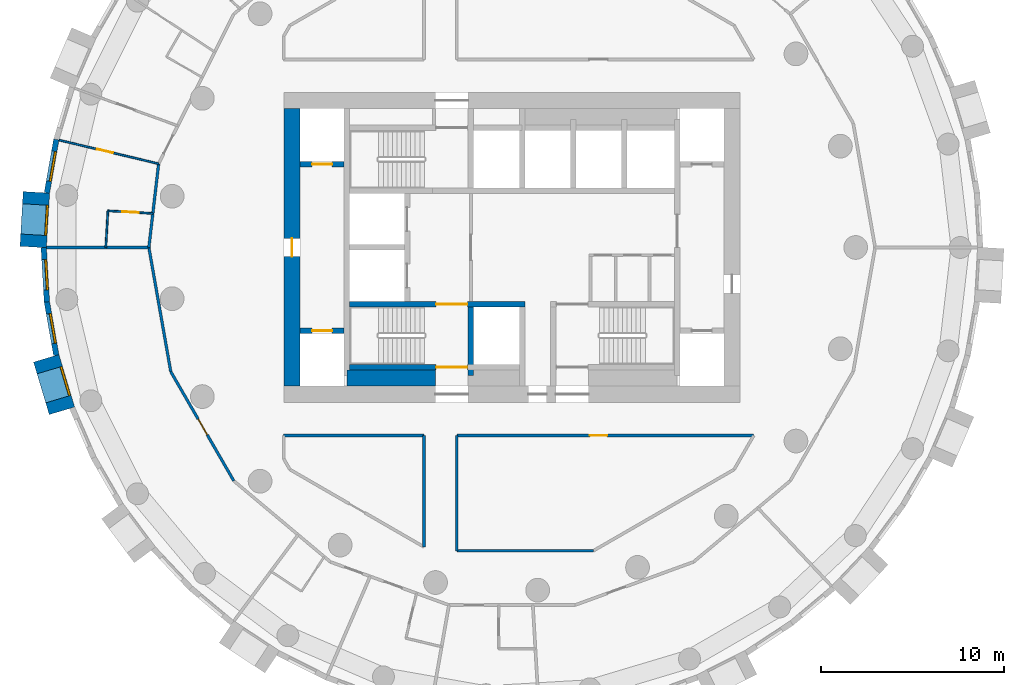
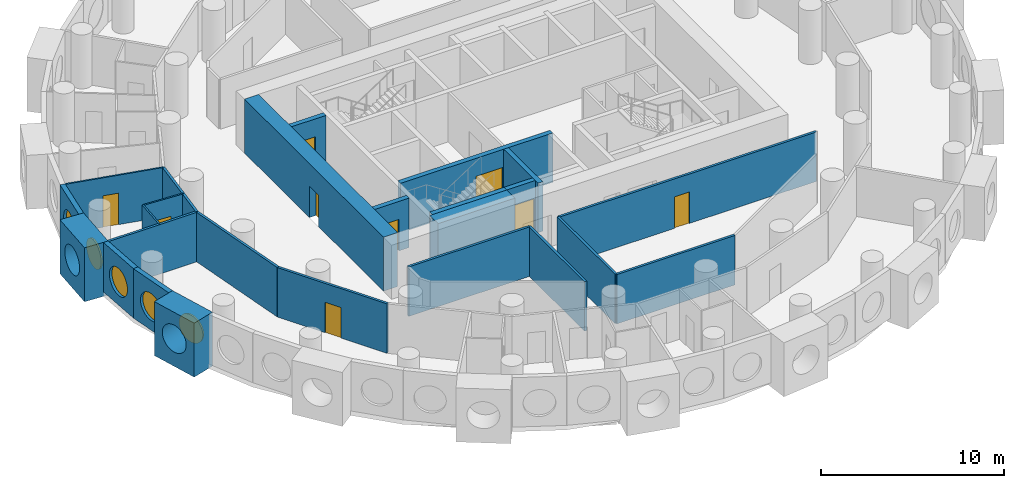
# One storey, part 3 of 9: 25 walls, 9 doors, 5 windows, 14 openings.
"""IFC4 building model written with IfcOpenShell, lengths in metres."""

from ifc_helpers import new_model, si_unit, direction, frame, frame_2d, origin, origin_2d, place, context, subcontext, project, spatial, rectangle, circle, extrude, material, layer, layer_set, type_object, element, fill, save


model = new_model("IFC4")

# Units and contexts
model_context = context("Model", 3, precision=1e-05, world=origin(), true_north=direction((0.0, 1.0)))
body_context = subcontext(model_context, "Body", "Model", "MODEL_VIEW")
ifc_project = project(units=[si_unit("LENGTHUNIT", "METRE"), si_unit("AREAUNIT", "SQUARE_METRE"), si_unit("VOLUMEUNIT", "CUBIC_METRE"), si_unit("PLANEANGLEUNIT", "RADIAN"), si_unit("MASSUNIT", "GRAM", prefix="KILO")], contexts=[model_context])

# Site, building, storey
site_placement = place(None, origin())
site = spatial("IfcSite", under=ifc_project, at=site_placement, CompositionType="ELEMENT")
building_placement = place(site_placement, origin())
building = spatial("IfcBuilding", under=site, at=building_placement, Name="Tracery Tower", CompositionType="ELEMENT")
storey_placement = place(building_placement, frame((0.0, 0.0, 183.60009765625)))
storey = spatial("IfcBuildingStorey", under=building, at=storey_placement, Name="L47", CompositionType="ELEMENT", Elevation=183.60009765625)

# Wall
ifc_material_1 = material(Name="Concrete C50/60", Category="concrete")
ifc_layer_1 = layer(ifc_material_1, 0.89990234375)
ifc_layer_set_1 = layer_set([ifc_layer_1], Name="Core strip wall 900 C50")
wall_type_1 = type_object("IfcWallType", Name="Core strip wall 900 C50", PredefinedType="SOLIDWALL", material=ifc_layer_set_1)
wall_1_placement = place(storey_placement, frame((-9.050048828125, -7.14990234375, 0.0), z_axis=(0.0, 0.0, 1.0), x_axis=(1.0, 0.0, 0.0)))
element("IfcWall", 1, at=wall_1_placement, inside=storey, type_object=wall_type_1, Name="L47 F thick S W", PredefinedType="SOLIDWALL", context=body_context, shape_type="SweptSolid", body=[
    extrude(rectangle(XDim=4.85009765625, YDim=0.89990234375, at=frame_2d((2.425048828125, 0.0))), origin(), (0.0, 0.0, 1.0), 3.2998046875),
])

# Wall, opening, door
ifc_material_2 = material(Name="Concrete C50/60", Category="concrete")
ifc_layer_2 = layer(ifc_material_2, 0.89990234375)
ifc_layer_set_2 = layer_set([ifc_layer_2], Name="Core wall 900 C50")
wall_type_2 = type_object("IfcWallType", Name="Core wall 900 C50", PredefinedType="SOLIDWALL", material=ifc_layer_set_2)
wall_2_placement = place(storey_placement, frame((-12.050048828125, -7.60009765625, 0.0), z_axis=(0.0, 0.0, 1.0), x_axis=(0.0, 1.0, 0.0)))
wall_2 = element("IfcWall", 2, at=wall_2_placement, inside=storey, type_object=wall_type_2, Name="L47 outer W", PredefinedType="SOLIDWALL", context=body_context, shape_type="SweptSolid", body=[
    extrude(rectangle(XDim=15.2001953125, YDim=0.89990234375, at=frame_2d((7.60009765625, 0.0))), origin(), (0.0, 0.0, 1.0), 3.599853515625),
])
opening_1_placement = place(wall_2_placement, frame((7.10009765625, 0.0, 0.0)))
opening_1 = element("IfcOpeningElement", 3, at=opening_1_placement, cuts=wall_2, Name="Opening KD18", PredefinedType="OPENING", context=body_context, shape_type="SweptSolid", body=[
    extrude(rectangle(XDim=1.0, YDim=2.10009765625, at=frame_2d((0.5, 1.050048828125))), frame((0.0, 0.449951171875, 0.0), z_axis=(0.0, -1.0, 0.0), x_axis=(1.0, 0.0, 0.0)), (0.0, 0.0, 1.0), 0.89990234375),
])
ifc_material_3 = material(Name="Steel fire door", Category="steel")
door_type_1 = type_object("IfcDoorType", Name="Core exit door 1000", OperationType="NOTDEFINED", PredefinedType="DOOR", material=ifc_material_3)
door_1_placement = place(opening_1_placement, origin())
door_1 = element("IfcDoor", 4, at=door_1_placement, inside=storey, type_object=door_type_1, Name="Core exit door", OperationType="DOUBLE_DOOR_SINGLE_SWING", OverallHeight=2.10009765625, OverallWidth=1.0, PredefinedType="DOOR", context=body_context, shape_type="SweptSolid", body=[
    extrude(rectangle(XDim=1.0, YDim=2.10009765625, at=frame_2d((0.5, 1.050048828125))), frame((0.0, 0.02490234375, 0.0), z_axis=(0.0, -1.0, 0.0), x_axis=(1.0, 0.0, 0.0)), (0.0, 0.0, 1.0), 0.050048828125),
])
fill(opening_1, door_1)

# Wall, opening, window
ifc_material_4 = material(Name="Precast concrete C50/60", Category="concrete")
ifc_layer_3 = layer(ifc_material_4, 1.449951171875)
ifc_layer_set_3 = layer_set([ifc_layer_3], Name="Deep-set bay unit 3000 x 3600, slab edge 300")
wall_type_3 = type_object("IfcWallType", Name="Deep-set bay unit 3000 x 3600, slab edge 300", PredefinedType="ELEMENTEDWALL", material=ifc_layer_set_3)
wall_3_placement = place(storey_placement, frame((-26.047607421875, 3.01953125, -0.300048828125), z_axis=(0.0, 0.0, 1.0), x_axis=(-0.058106596105, -0.998310384344, 0.0)))
wall_3 = element("IfcWall", 5, at=wall_3_placement, inside=storey, type_object=wall_type_3, Name="Deep-set bay unit 27 at L47", PredefinedType="ELEMENTEDWALL", context=body_context, shape_type="SweptSolid", body=[
    extrude(rectangle(XDim=3.0, YDim=1.449951171875, at=frame_2d((1.5, 0.0))), origin(), (0.0, 0.0, 1.0), 3.599853515625),
])
opening_2_placement = place(wall_3_placement, frame((1.5, 0.0, 1.85009765625)))
opening_2 = element("IfcOpeningElement", 6, at=opening_2_placement, cuts=wall_3, Name="Opening WN1", PredefinedType="OPENING", context=body_context, shape_type="SweptSolid", body=[
    extrude(circle(Radius=0.9000244140625, at=origin_2d()), frame((0.0, 0.73486328125, 0.0), z_axis=(0.0, -1.0, 0.0), x_axis=(1.0, 0.0, 0.0)), (0.0, 0.0, 1.0), 1.469970703125),
])
ifc_material_5 = material(Name="Aluminium frame with tinted double glazing", Category="aluminium")
window_type = type_object("IfcWindowType", Name="Round window 1800", PartitioningType="SINGLE_PANEL", PredefinedType="WINDOW", material=ifc_material_5)
window_1_placement = place(opening_2_placement, origin())
window_1 = element("IfcWindow", 7, at=window_1_placement, inside=storey, type_object=window_type, Name="Round window 27 at L47", OverallHeight=1.800048828125, OverallWidth=1.800048828125, PartitioningType="SINGLE_PANEL", PredefinedType="WINDOW", context=body_context, shape_type="SweptSolid", body=[
    extrude(circle(Radius=0.9000244140625, at=origin_2d()), frame((0.0, 0.69482421875, 0.0), z_axis=(0.0, -1.0, 0.0), x_axis=(1.0, 0.0, 0.0)), (0.0, 0.0, 1.0), 0.10009765625),
])
fill(opening_2, window_1)

wall_4_placement = place(storey_placement, frame((-25.509521484375, -6.0712890625, -0.300048828125), z_axis=(0.0, 0.0, 1.0), x_axis=(0.286780420304, -0.957996341606, 0.0)))
wall_4 = element("IfcWall", 8, at=wall_4_placement, inside=storey, type_object=wall_type_3, Name="Deep-set bay unit 30 at L47", PredefinedType="ELEMENTEDWALL", context=body_context, shape_type="SweptSolid", body=[
    extrude(rectangle(XDim=3.0, YDim=1.449951171875, at=frame_2d((1.5, 0.0))), origin(), (0.0, 0.0, 1.0), 3.599853515625),
])
opening_3_placement = place(wall_4_placement, frame((1.5, 0.0, 1.85009765625)))
opening_3 = element("IfcOpeningElement", 9, at=opening_3_placement, cuts=wall_4, Name="Opening WN1", PredefinedType="OPENING", context=body_context, shape_type="SweptSolid", body=[
    extrude(circle(Radius=0.9000244140625, at=origin_2d()), frame((0.0, 0.73486328125, 0.0), z_axis=(0.0, -1.0, 0.0), x_axis=(1.0, 0.0, 0.0)), (0.0, 0.0, 1.0), 1.469970703125),
])
window_2_placement = place(opening_3_placement, origin())
window_2 = element("IfcWindow", 10, at=window_2_placement, inside=storey, type_object=window_type, Name="Round window 30 at L47", OverallHeight=1.800048828125, OverallWidth=1.800048828125, PartitioningType="SINGLE_PANEL", PredefinedType="WINDOW", context=body_context, shape_type="SweptSolid", body=[
    extrude(circle(Radius=0.9000244140625, at=origin_2d()), frame((0.0, 0.69482421875, 0.0), z_axis=(0.0, -1.0, 0.0), x_axis=(1.0, 0.0, 0.0)), (0.0, 0.0, 1.0), 0.10009765625),
])
fill(opening_3, window_2)

ifc_material_6 = material(Name="Precast concrete C50/60", Category="concrete")
ifc_layer_4 = layer(ifc_material_6, 0.300048828125)
ifc_layer_set_4 = layer_set([ifc_layer_4], Name="Facade panel 3000 x 3300")
wall_type_4 = type_object("IfcWallType", Name="Facade panel 3000 x 3300", PredefinedType="SOLIDWALL", material=ifc_layer_set_4)
wall_5_placement = place(storey_placement, frame((-24.9560546875, 5.914794921875, 0.0), z_axis=(0.0, 0.0, 1.0), x_axis=(-0.173686952598, -0.984800915159, 0.0)))
wall_5 = element("IfcWall", 11, at=wall_5_placement, inside=storey, type_object=wall_type_4, Name="Facade panel 26 at L47", PredefinedType="SOLIDWALL", context=body_context, shape_type="SweptSolid", body=[
    extrude(rectangle(XDim=2.972900390625, YDim=0.300048828125, at=frame_2d((1.486328125, 0.0))), origin(), (0.0, 0.0, 1.0), 3.2998046875),
])
opening_4_placement = place(wall_5_placement, frame((1.486328125, 0.0, 1.5498046875)))
opening_4 = element("IfcOpeningElement", 12, at=opening_4_placement, cuts=wall_5, Name="Opening WN1", PredefinedType="OPENING", context=body_context, shape_type="SweptSolid", body=[
    extrude(circle(Radius=0.9000244140625, at=origin_2d()), frame((0.0, 0.159912109375, 0.0), z_axis=(0.0, -1.0, 0.0), x_axis=(1.0, 0.0, 0.0)), (0.0, 0.0, 1.0), 0.320068359375),
])
window_3_placement = place(opening_4_placement, origin())
window_3 = element("IfcWindow", 13, at=window_3_placement, inside=storey, type_object=window_type, Name="Round window 26 at L47", OverallHeight=1.800048828125, OverallWidth=1.800048828125, PartitioningType="SINGLE_PANEL", PredefinedType="WINDOW", context=body_context, shape_type="SweptSolid", body=[
    extrude(circle(Radius=0.9000244140625, at=origin_2d()), frame((0.0, 0.1201171875, 0.0), z_axis=(0.0, -1.0, 0.0), x_axis=(1.0, 0.0, 0.0)), (0.0, 0.0, 1.0), 0.10009765625),
])
fill(opening_4, window_3)

wall_6_placement = place(storey_placement, frame((-25.64697265625, -0.009521484375, 0.0), z_axis=(0.0, 0.0, 1.0), x_axis=(0.058139540521, -0.998308466271, 0.0)))
wall_6 = element("IfcWall", 14, at=wall_6_placement, inside=storey, type_object=wall_type_4, Name="Facade panel 28 at L47", PredefinedType="SOLIDWALL", context=body_context, shape_type="SweptSolid", body=[
    extrude(rectangle(XDim=2.97314453125, YDim=0.300048828125, at=frame_2d((1.486572265625, 0.0))), origin(), (0.0, 0.0, 1.0), 3.2998046875),
])
opening_5_placement = place(wall_6_placement, frame((1.486328125, 0.0, 1.5498046875)))
opening_5 = element("IfcOpeningElement", 15, at=opening_5_placement, cuts=wall_6, Name="Opening WN1", PredefinedType="OPENING", context=body_context, shape_type="SweptSolid", body=[
    extrude(circle(Radius=0.9000244140625, at=origin_2d()), frame((0.0, 0.159912109375, 0.0), z_axis=(0.0, -1.0, 0.0), x_axis=(1.0, 0.0, 0.0)), (0.0, 0.0, 1.0), 0.320068359375),
])
window_4_placement = place(opening_5_placement, origin())
window_4 = element("IfcWindow", 16, at=window_4_placement, inside=storey, type_object=window_type, Name="Round window 28 at L47", OverallHeight=1.800048828125, OverallWidth=1.800048828125, PartitioningType="SINGLE_PANEL", PredefinedType="WINDOW", context=body_context, shape_type="SweptSolid", body=[
    extrude(circle(Radius=0.9000244140625, at=origin_2d()), frame((0.0, 0.1201171875, 0.0), z_axis=(0.0, -1.0, 0.0), x_axis=(1.0, 0.0, 0.0)), (0.0, 0.0, 1.0), 0.10009765625),
])
fill(opening_5, window_4)

wall_7_placement = place(storey_placement, frame((-25.47412109375, -2.9775390625, 0.0), z_axis=(0.0, 0.0, 1.0), x_axis=(0.173686952598, -0.984800915159, 0.0)))
wall_7 = element("IfcWall", 17, at=wall_7_placement, inside=storey, type_object=wall_type_4, Name="Facade panel 29 at L47", PredefinedType="SOLIDWALL", context=body_context, shape_type="SweptSolid", body=[
    extrude(rectangle(XDim=2.972900390625, YDim=0.300048828125, at=frame_2d((1.486328125, 0.0))), origin(), (0.0, 0.0, 1.0), 3.2998046875),
])
opening_6_placement = place(wall_7_placement, frame((1.486328125, 0.0, 1.5498046875)))
opening_6 = element("IfcOpeningElement", 18, at=opening_6_placement, cuts=wall_7, Name="Opening WN1", PredefinedType="OPENING", context=body_context, shape_type="SweptSolid", body=[
    extrude(circle(Radius=0.9000244140625, at=origin_2d()), frame((0.0, 0.159912109375, 0.0), z_axis=(0.0, -1.0, 0.0), x_axis=(1.0, 0.0, 0.0)), (0.0, 0.0, 1.0), 0.320068359375),
])
window_5_placement = place(opening_6_placement, origin())
window_5 = element("IfcWindow", 19, at=window_5_placement, inside=storey, type_object=window_type, Name="Round window 29 at L47", OverallHeight=1.800048828125, OverallWidth=1.800048828125, PartitioningType="SINGLE_PANEL", PredefinedType="WINDOW", context=body_context, shape_type="SweptSolid", body=[
    extrude(circle(Radius=0.9000244140625, at=origin_2d()), frame((0.0, 0.1201171875, 0.0), z_axis=(0.0, -1.0, 0.0), x_axis=(1.0, 0.0, 0.0)), (0.0, 0.0, 1.0), 0.10009765625),
])
fill(opening_6, window_5)

# Wall, opening, door
ifc_material_7 = material(Name="Plasterboard on steel studs", Category="steel")
ifc_layer_5 = layer(ifc_material_7, 0.10009765625)
ifc_layer_set_5 = layer_set([ifc_layer_5], Name="Partition 100 stud")
wall_type_5 = type_object("IfcWallType", Name="Partition 100 stud", PredefinedType="PARTITIONING", material=ifc_layer_set_5)
wall_8_placement = place(storey_placement, frame((-24.81005859375, 5.8798828125, 0.0), z_axis=(0.0, 0.0, 1.0), x_axis=(0.973029918752, -0.230678948353, 0.0)))
wall_8 = element("IfcWall", 20, at=wall_8_placement, inside=storey, type_object=wall_type_5, Name="Stud partition RB6-050", PredefinedType="PARTITIONING", context=body_context, shape_type="SweptSolid", body=[
    extrude(rectangle(XDim=5.609375, YDim=0.10009765625, at=frame_2d((2.8046875, 0.0))), origin(), (0.0, 0.0, 1.0), 3.2998046875),
])
opening_7_placement = place(wall_8_placement, frame((2.139404296875, 0.0, 0.0)))
opening_7 = element("IfcOpeningElement", 21, at=opening_7_placement, cuts=wall_8, Name="Opening RB6-15", PredefinedType="OPENING", context=body_context, shape_type="SweptSolid", body=[
    extrude(rectangle(XDim=0.89990234375, YDim=2.10009765625, at=frame_2d((0.449951171875, 1.050048828125))), frame((0.0, 0.050048828125, 0.0), z_axis=(0.0, -1.0, 0.0), x_axis=(1.0, 0.0, 0.0)), (0.0, 0.0, 1.0), 0.10009765625),
])
ifc_material_8 = material(Name="Timber door leaf", Category="wood")
door_type_2 = type_object("IfcDoorType", Name="Door bedroom 900", OperationType="NOTDEFINED", PredefinedType="DOOR", material=ifc_material_8)
door_2_placement = place(opening_7_placement, origin())
door_2 = element("IfcDoor", 22, at=door_2_placement, inside=storey, type_object=door_type_2, Name="Bedroom door RB6-15", OperationType="SINGLE_SWING_RIGHT", OverallHeight=2.10009765625, OverallWidth=0.89990234375, PredefinedType="DOOR", context=body_context, shape_type="SweptSolid", body=[
    extrude(rectangle(XDim=0.89990234375, YDim=2.10009765625, at=frame_2d((0.449951171875, 1.050048828125))), frame((0.0, 0.02490234375, 0.0), z_axis=(0.0, -1.0, 0.0), x_axis=(1.0, 0.0, 0.0)), (0.0, 0.0, 1.0), 0.050048828125),
])
fill(opening_7, door_2)

ifc_material_9 = material(Name="Plasterboard on steel studs", Category="steel")
ifc_layer_6 = layer(ifc_material_9, 0.10009765625)
ifc_layer_set_6 = layer_set([ifc_layer_6], Name="Partition 100 wet wall")
wall_type_6 = type_object("IfcWallType", Name="Partition 100 wet wall", PredefinedType="PARTITIONING", material=ifc_layer_set_6)
wall_9_placement = place(storey_placement, frame((-22.1298828125, 2.008056640625, 0.0), z_axis=(0.0, 0.0, 1.0), x_axis=(0.998290052933, -0.058454856216, 0.0)))
wall_9 = element("IfcWall", 23, at=wall_9_placement, inside=storey, type_object=wall_type_6, Name="Wet wall RB6-054", PredefinedType="PARTITIONING", context=body_context, shape_type="SweptSolid", body=[
    extrude(rectangle(XDim=2.464111328125, YDim=0.10009765625, at=frame_2d((1.23193359375, 0.0))), origin(), (0.0, 0.0, 1.0), 3.2998046875),
])
opening_8_placement = place(wall_9_placement, frame((0.7822265625, 0.0, 0.0)))
opening_8 = element("IfcOpeningElement", 24, at=opening_8_placement, cuts=wall_9, Name="Opening RB6-16", PredefinedType="OPENING", context=body_context, shape_type="SweptSolid", body=[
    extrude(rectangle(XDim=0.89990234375, YDim=2.0400390625, at=frame_2d((0.449951171875, 1.02001953125))), frame((0.0, 0.050048828125, 0.0), z_axis=(0.0, -1.0, 0.0), x_axis=(1.0, 0.0, 0.0)), (0.0, 0.0, 1.0), 0.10009765625),
])
ifc_material_10 = material(Name="Timber door leaf", Category="wood")
door_type_3 = type_object("IfcDoorType", Name="Door en-suite 900", OperationType="NOTDEFINED", PredefinedType="DOOR", material=ifc_material_10)
door_3_placement = place(opening_8_placement, origin())
door_3 = element("IfcDoor", 25, at=door_3_placement, inside=storey, type_object=door_type_3, Name="En-suite door RB6-16", OperationType="SINGLE_SWING_LEFT", OverallHeight=2.0400390625, OverallWidth=0.89990234375, PredefinedType="DOOR", context=body_context, shape_type="SweptSolid", body=[
    extrude(rectangle(XDim=0.89990234375, YDim=2.0400390625, at=frame_2d((0.449951171875, 1.02001953125))), frame((0.0, 0.02490234375, 0.0), z_axis=(0.0, -1.0, 0.0), x_axis=(1.0, 0.0, 0.0)), (0.0, 0.0, 1.0), 0.050048828125),
])
fill(opening_8, door_3)

# Walls
wall_10_placement = place(storey_placement, frame((-22.2470703125, 0.0, 0.0), z_axis=(0.0, 0.0, 1.0), x_axis=(0.058259538708, 0.998301470574, 0.0)))
element("IfcWall", 26, at=wall_10_placement, inside=storey, type_object=wall_type_6, Name="Wet wall RB6-055", PredefinedType="PARTITIONING", context=body_context, shape_type="SweptSolid", body=[
    extrude(rectangle(XDim=2.011474609375, YDim=0.10009765625, at=frame_2d((1.005859375, 0.0))), origin(), (0.0, 0.0, 1.0), 3.2998046875),
])
ifc_material_11 = material(Name="Plasterboard on steel studs", Category="steel")
ifc_layer_7 = layer(ifc_material_11, 0.14990234375)
ifc_layer_set_7 = layer_set([ifc_layer_7], Name="Partition 150 acoustic unit wall")
wall_type_7 = type_object("IfcWallType", Name="Partition 150 acoustic unit wall", PredefinedType="PARTITIONING", material=ifc_layer_set_7)
wall_11_placement = place(storey_placement, frame((-25.4970703125, 0.0, 0.0), z_axis=(0.0, 0.0, 1.0), x_axis=(1.0, 0.0, 0.0)))
element("IfcWall", 27, at=wall_11_placement, inside=storey, type_object=wall_type_7, Name="Unit wall RB6-056", PredefinedType="PARTITIONING", context=body_context, shape_type="SweptSolid", body=[
    extrude(rectangle(XDim=5.609130859375, YDim=0.14990234375, at=frame_2d((2.8046875, 0.0))), origin(), (0.0, 0.0, 1.0), 3.2998046875),
])
ifc_material_12 = material(Name="Plasterboard on steel studs", Category="steel")
ifc_layer_8 = layer(ifc_material_12, 0.14990234375)
ifc_layer_set_8 = layer_set([ifc_layer_8], Name="Partition 150 corridor wall")
wall_type_8 = type_object("IfcWallType", Name="Partition 150 corridor wall", PredefinedType="PARTITIONING", material=ifc_layer_set_8)
wall_12_placement = place(storey_placement, frame((-12.50390625, -10.300048828125, 0.0), z_axis=(0.0, 0.0, 1.0), x_axis=(1.0, 0.0, 0.0)))
element("IfcWall", 28, at=wall_12_placement, inside=storey, type_object=wall_type_8, Name="Corridor wall RB6-003", PredefinedType="PARTITIONING", context=body_context, shape_type="SweptSolid", body=[
    extrude(rectangle(XDim=7.68701171875, YDim=0.14990234375, at=frame_2d((3.843505859375, 0.0))), origin(), (0.0, 0.0, 1.0), 3.2998046875),
])

# Wall, opening, door
wall_13_placement = place(storey_placement, frame((-3.02490234375, -10.300048828125, 0.0), z_axis=(0.0, 0.0, 1.0), x_axis=(1.0, 0.0, 0.0)))
wall_13 = element("IfcWall", 29, at=wall_13_placement, inside=storey, type_object=wall_type_8, Name="Corridor wall RB6-004", PredefinedType="PARTITIONING", context=body_context, shape_type="SweptSolid", body=[
    extrude(rectangle(XDim=16.261962890625, YDim=0.14990234375, at=frame_2d((8.130859375, 0.0))), origin(), (0.0, 0.0, 1.0), 3.2998046875),
])
opening_9_placement = place(wall_13_placement, frame((7.287109375, 0.0, 0.0)))
opening_9 = element("IfcOpeningElement", 30, at=opening_9_placement, cuts=wall_13, Name="Opening RB6-04", PredefinedType="OPENING", context=body_context, shape_type="SweptSolid", body=[
    extrude(rectangle(XDim=0.949951171875, YDim=2.10009765625, at=frame_2d((0.47509765625, 1.050048828125))), frame((0.0, 0.074951171875, 0.0), z_axis=(0.0, -1.0, 0.0), x_axis=(1.0, 0.0, 0.0)), (0.0, 0.0, 1.0), 0.14990234375),
])
ifc_material_13 = material(Name="Timber door leaf", Category="wood")
door_type_4 = type_object("IfcDoorType", Name="Door store 950", OperationType="NOTDEFINED", PredefinedType="DOOR", material=ifc_material_13)
door_4_placement = place(opening_9_placement, origin())
door_4 = element("IfcDoor", 31, at=door_4_placement, inside=storey, type_object=door_type_4, Name="Store door RB6-04", OperationType="SINGLE_SWING_RIGHT", OverallHeight=2.10009765625, OverallWidth=0.949951171875, PredefinedType="DOOR", context=body_context, shape_type="SweptSolid", body=[
    extrude(rectangle(XDim=0.949951171875, YDim=2.10009765625, at=frame_2d((0.47509765625, 1.050048828125))), frame((0.0, 0.02490234375, 0.0), z_axis=(0.0, -1.0, 0.0), x_axis=(1.0, 0.0, 0.0)), (0.0, 0.0, 1.0), 0.050048828125),
])
fill(opening_9, door_4)

# Wall
wall_14_placement = place(storey_placement, frame((-19.888671875, 0.0, 0.0), z_axis=(0.0, 0.0, 1.0), x_axis=(0.116221510549, 0.993223318537, 0.0)))
element("IfcWall", 32, at=wall_14_placement, inside=storey, type_object=wall_type_8, Name="Corridor wall RB6-027", PredefinedType="PARTITIONING", context=body_context, shape_type="SweptSolid", body=[
    extrude(rectangle(XDim=4.6171875, YDim=0.14990234375, at=frame_2d((2.30859375, 0.0))), origin(), (0.0, 0.0, 1.0), 3.2998046875),
])

# Wall, opening, door
wall_15_placement = place(storey_placement, frame((-18.68798828125, -6.802001953125, 0.0), z_axis=(0.0, 0.0, 1.0), x_axis=(0.499914202267, -0.866074933462, 0.0)))
wall_15 = element("IfcWall", 33, at=wall_15_placement, inside=storey, type_object=wall_type_8, Name="Corridor wall RB6-029", PredefinedType="PARTITIONING", context=body_context, shape_type="SweptSolid", body=[
    extrude(rectangle(XDim=6.906982421875, YDim=0.14990234375, at=frame_2d((3.45361328125, 0.0))), origin(), (0.0, 0.0, 1.0), 3.2998046875),
])
opening_10_placement = place(wall_15_placement, frame((3.003173828125, 0.0, 0.0)))
opening_10 = element("IfcOpeningElement", 34, at=opening_10_placement, cuts=wall_15, Name="Opening RB6-17", PredefinedType="OPENING", context=body_context, shape_type="SweptSolid", body=[
    extrude(rectangle(XDim=1.0, YDim=2.0400390625, at=frame_2d((0.5, 1.02001953125))), frame((0.0, 0.074951171875, 0.0), z_axis=(0.0, -1.0, 0.0), x_axis=(1.0, 0.0, 0.0)), (0.0, 0.0, 1.0), 0.14990234375),
])
ifc_material_14 = material(Name="Timber door leaf", Category="wood")
door_type_5 = type_object("IfcDoorType", Name="Door communal room 1000", OperationType="NOTDEFINED", PredefinedType="DOOR", material=ifc_material_14)
door_5_placement = place(opening_10_placement, origin())
door_5 = element("IfcDoor", 35, at=door_5_placement, inside=storey, type_object=door_type_5, Name="Communal room door RB6-17", OperationType="SINGLE_SWING_LEFT", OverallHeight=2.0400390625, OverallWidth=1.0, PredefinedType="DOOR", context=body_context, shape_type="SweptSolid", body=[
    extrude(rectangle(XDim=1.0, YDim=2.0400390625, at=frame_2d((0.5, 1.02001953125))), frame((0.0, 0.02490234375, 0.0), z_axis=(0.0, -1.0, 0.0), x_axis=(1.0, 0.0, 0.0)), (0.0, 0.0, 1.0), 0.050048828125),
])
fill(opening_10, door_5)

# Walls
wall_16_placement = place(storey_placement, frame((-19.887939453125, 0.0, 0.0), z_axis=(0.0, 0.0, 1.0), x_axis=(0.173728873845, -0.98479352069, 0.0)))
element("IfcWall", 36, at=wall_16_placement, inside=storey, type_object=wall_type_8, Name="Corridor wall RB6-030", PredefinedType="PARTITIONING", context=body_context, shape_type="SweptSolid", body=[
    extrude(rectangle(XDim=6.906982421875, YDim=0.14990234375, at=frame_2d((3.45361328125, 0.0))), origin(), (0.0, 0.0, 1.0), 3.2998046875),
])
wall_17_placement = place(storey_placement, frame((-4.821044921875, -16.40087890625, 0.0), z_axis=(0.0, 0.0, 1.0), x_axis=(0.0, 1.0, 0.0)))
element("IfcWall", 37, at=wall_17_placement, inside=storey, type_object=wall_type_8, Name="Corridor wall RB6-032", PredefinedType="PARTITIONING", context=body_context, shape_type="SweptSolid", body=[
    extrude(rectangle(XDim=6.100830078125, YDim=0.14990234375, at=frame_2d((3.05029296875, 0.0))), origin(), (0.0, 0.0, 1.0), 3.2998046875),
])
wall_18_placement = place(storey_placement, frame((-3.02099609375, -16.614013671875, 0.0), z_axis=(0.0, 0.0, 1.0), x_axis=(0.0, 1.0, 0.0)))
element("IfcWall", 38, at=wall_18_placement, inside=storey, type_object=wall_type_8, Name="Corridor wall RB6-033", PredefinedType="PARTITIONING", context=body_context, shape_type="SweptSolid", body=[
    extrude(rectangle(XDim=6.31396484375, YDim=0.14990234375, at=frame_2d((3.156982421875, 0.0))), origin(), (0.0, 0.0, 1.0), 3.2998046875),
])
wall_19_placement = place(storey_placement, frame((-3.02099609375, -16.614013671875, 0.0), z_axis=(0.0, 0.0, 1.0), x_axis=(1.0, 0.0, 0.0)))
element("IfcWall", 39, at=wall_19_placement, inside=storey, type_object=wall_type_8, Name="Corridor wall RB6-034", PredefinedType="PARTITIONING", context=body_context, shape_type="SweptSolid", body=[
    extrude(rectangle(XDim=7.472900390625, YDim=0.14990234375, at=frame_2d((3.736328125, 0.0))), origin(), (0.0, 0.0, 1.0), 3.2998046875),
])

# Wall, opening, door
ifc_material_15 = material(Name="Concrete C50/60", Category="concrete")
ifc_layer_9 = layer(ifc_material_15, 0.300048828125)
ifc_layer_set_9 = layer_set([ifc_layer_9], Name="Shaft wall 300 C50")
wall_type_9 = type_object("IfcWallType", Name="Shaft wall 300 C50", PredefinedType="SOLIDWALL", material=ifc_layer_set_9)
wall_20_placement = place(storey_placement, frame((-11.60009765625, -4.550048828125, 0.0), z_axis=(0.0, 0.0, 1.0), x_axis=(1.0, 0.0, 0.0)))
wall_20 = element("IfcWall", 40, at=wall_20_placement, inside=storey, type_object=wall_type_9, Name="L47 MR W -4.55", PredefinedType="SOLIDWALL", context=body_context, shape_type="SweptSolid", body=[
    extrude(rectangle(XDim=2.400146484375, YDim=0.300048828125, at=frame_2d((1.2001953125, 0.0))), origin(), (0.0, 0.0, 1.0), 3.2998046875),
])
opening_11_placement = place(wall_20_placement, frame((0.64990234375, 0.0, 0.0)))
opening_11 = element("IfcOpeningElement", 41, at=opening_11_placement, cuts=wall_20, Name="Opening KD50", PredefinedType="OPENING", context=body_context, shape_type="SweptSolid", body=[
    extrude(rectangle(XDim=1.10009765625, YDim=2.10009765625, at=frame_2d((0.550048828125, 1.050048828125))), frame((0.0, 0.14990234375, 0.0), z_axis=(0.0, -1.0, 0.0), x_axis=(1.0, 0.0, 0.0)), (0.0, 0.0, 1.0), 0.300048828125),
])
ifc_material_16 = material(Name="Steel fire door", Category="steel")
door_type_6 = type_object("IfcDoorType", Name="Landing door 1100", OperationType="NOTDEFINED", PredefinedType="DOOR", material=ifc_material_16)
door_6_placement = place(opening_11_placement, origin())
door_6 = element("IfcDoor", 42, at=door_6_placement, inside=storey, type_object=door_type_6, Name="Landing door MR1", OperationType="SLIDING_TO_RIGHT", OverallHeight=2.10009765625, OverallWidth=1.10009765625, PredefinedType="DOOR", context=body_context, shape_type="SweptSolid", body=[
    extrude(rectangle(XDim=1.10009765625, YDim=2.10009765625, at=frame_2d((0.550048828125, 1.050048828125))), frame((0.0, 0.02490234375, 0.0), z_axis=(0.0, -1.0, 0.0), x_axis=(1.0, 0.0, 0.0)), (0.0, 0.0, 1.0), 0.050048828125),
])
fill(opening_11, door_6)

wall_21_placement = place(storey_placement, frame((-11.60009765625, 4.550048828125, 0.0), z_axis=(0.0, 0.0, 1.0), x_axis=(1.0, 0.0, 0.0)))
wall_21 = element("IfcWall", 43, at=wall_21_placement, inside=storey, type_object=wall_type_9, Name="L47 MR W +4.55", PredefinedType="SOLIDWALL", context=body_context, shape_type="SweptSolid", body=[
    extrude(rectangle(XDim=2.400146484375, YDim=0.300048828125, at=frame_2d((1.2001953125, 0.0))), origin(), (0.0, 0.0, 1.0), 3.2998046875),
])
opening_12_placement = place(wall_21_placement, frame((0.64990234375, 0.0, 0.0)))
opening_12 = element("IfcOpeningElement", 44, at=opening_12_placement, cuts=wall_21, Name="Opening KD49", PredefinedType="OPENING", context=body_context, shape_type="SweptSolid", body=[
    extrude(rectangle(XDim=1.10009765625, YDim=2.10009765625, at=frame_2d((0.550048828125, 1.050048828125))), frame((0.0, 0.14990234375, 0.0), z_axis=(0.0, -1.0, 0.0), x_axis=(1.0, 0.0, 0.0)), (0.0, 0.0, 1.0), 0.300048828125),
])
door_7_placement = place(opening_12_placement, origin())
door_7 = element("IfcDoor", 45, at=door_7_placement, inside=storey, type_object=door_type_6, Name="Landing door MR2", OperationType="SLIDING_TO_LEFT", OverallHeight=2.10009765625, OverallWidth=1.10009765625, PredefinedType="DOOR", context=body_context, shape_type="SweptSolid", body=[
    extrude(rectangle(XDim=1.10009765625, YDim=2.10009765625, at=frame_2d((0.550048828125, 1.050048828125))), frame((0.0, 0.02490234375, 0.0), z_axis=(0.0, -1.0, 0.0), x_axis=(1.0, 0.0, 0.0)), (0.0, 0.0, 1.0), 0.050048828125),
])
fill(opening_12, door_7)

ifc_material_17 = material(Name="Concrete C50/60", Category="concrete")
ifc_layer_10 = layer(ifc_material_17, 0.300048828125)
ifc_layer_set_10 = layer_set([ifc_layer_10], Name="Stair wall 300 C50")
wall_type_10 = type_object("IfcWallType", Name="Stair wall 300 C50", PredefinedType="SOLIDWALL", material=ifc_layer_set_10)
wall_22_placement = place(storey_placement, frame((-8.89990234375, -3.10009765625, 0.0), z_axis=(0.0, 0.0, 1.0), x_axis=(1.0, 0.0, 0.0)))
wall_22 = element("IfcWall", 46, at=wall_22_placement, inside=storey, type_object=wall_type_10, Name="L47 row S", PredefinedType="SOLIDWALL", context=body_context, shape_type="SweptSolid", body=[
    extrude(rectangle(XDim=9.599853515625, YDim=0.300048828125, at=frame_2d((4.7998046875, 0.0))), origin(), (0.0, 0.0, 1.0), 3.2998046875),
])
opening_13_placement = place(wall_22_placement, frame((4.75, 0.0, 0.0)))
opening_13 = element("IfcOpeningElement", 47, at=opening_13_placement, cuts=wall_22, Name="Opening KD3", PredefinedType="OPENING", context=body_context, shape_type="SweptSolid", body=[
    extrude(rectangle(XDim=1.699951171875, YDim=2.10009765625, at=frame_2d((0.85009765625, 1.050048828125))), frame((0.0, 0.14990234375, 0.0), z_axis=(0.0, -1.0, 0.0), x_axis=(1.0, 0.0, 0.0)), (0.0, 0.0, 1.0), 0.300048828125),
])
ifc_material_18 = material(Name="Steel fire door", Category="steel")
door_type_7 = type_object("IfcDoorType", Name="Core stair door 1700 double", OperationType="NOTDEFINED", PredefinedType="DOOR", material=ifc_material_18)
door_8_placement = place(opening_13_placement, origin())
door_8 = element("IfcDoor", 48, at=door_8_placement, inside=storey, type_object=door_type_7, Name="Stair door ST1", OperationType="DOUBLE_DOOR_SINGLE_SWING", OverallHeight=2.10009765625, OverallWidth=1.699951171875, PredefinedType="DOOR", context=body_context, shape_type="SweptSolid", body=[
    extrude(rectangle(XDim=1.699951171875, YDim=2.10009765625, at=frame_2d((0.85009765625, 1.050048828125))), frame((0.0, 0.02490234375, 0.0), z_axis=(0.0, -1.0, 0.0), x_axis=(1.0, 0.0, 0.0)), (0.0, 0.0, 1.0), 0.050048828125),
])
fill(opening_13, door_8)

# Walls
wall_23_placement = place(storey_placement, frame((-2.25, -7.0, 0.0), z_axis=(0.0, 0.0, 1.0), x_axis=(0.0, 1.0, 0.0)))
element("IfcWall", 49, at=wall_23_placement, inside=storey, type_object=wall_type_10, Name="L47 ST1 E", PredefinedType="SOLIDWALL", context=body_context, shape_type="SweptSolid", body=[
    extrude(rectangle(XDim=3.75, YDim=0.300048828125, at=frame_2d((1.875, 0.0))), origin(), (0.0, 0.0, 1.0), 3.2998046875),
])
wall_24_placement = place(storey_placement, frame((-8.89990234375, -6.550048828125, 0.0), z_axis=(0.0, 0.0, 1.0), x_axis=(1.0, 0.0, 0.0)))
element("IfcWall", 50, at=wall_24_placement, inside=storey, type_object=wall_type_10, Name="L47 F stair strip S W", PredefinedType="SOLIDWALL", context=body_context, shape_type="SweptSolid", body=[
    extrude(rectangle(XDim=4.699951171875, YDim=0.300048828125, at=frame_2d((2.35009765625, 0.0))), origin(), (0.0, 0.0, 1.0), 3.2998046875),
])

# Wall, opening, door
wall_25_placement = place(storey_placement, frame((-4.199951171875, -6.550048828125, 0.0), z_axis=(0.0, 0.0, 1.0), x_axis=(1.0, 0.0, 0.0)))
wall_25 = element("IfcWall", 51, at=wall_25_placement, inside=storey, type_object=wall_type_10, Name="L47 F stair S W", PredefinedType="SOLIDWALL", context=body_context, shape_type="SweptSolid", body=[
    extrude(rectangle(XDim=1.800048828125, YDim=0.300048828125, at=frame_2d((0.89990234375, 0.0))), origin(), (0.0, 0.0, 1.0), 3.2998046875),
])
opening_14_placement = place(wall_25_placement, frame((0.050048828125, 0.0, 0.0)))
opening_14 = element("IfcOpeningElement", 52, at=opening_14_placement, cuts=wall_25, Name="Opening KD3", PredefinedType="OPENING", context=body_context, shape_type="SweptSolid", body=[
    extrude(rectangle(XDim=1.699951171875, YDim=2.10009765625, at=frame_2d((0.85009765625, 1.050048828125))), frame((0.0, 0.14990234375, 0.0), z_axis=(0.0, -1.0, 0.0), x_axis=(1.0, 0.0, 0.0)), (0.0, 0.0, 1.0), 0.300048828125),
])
door_9_placement = place(opening_14_placement, origin())
door_9 = element("IfcDoor", 53, at=door_9_placement, inside=storey, type_object=door_type_7, Name="Stair door vest", OperationType="DOUBLE_DOOR_SINGLE_SWING", OverallHeight=2.10009765625, OverallWidth=1.699951171875, PredefinedType="DOOR", context=body_context, shape_type="SweptSolid", body=[
    extrude(rectangle(XDim=1.699951171875, YDim=2.10009765625, at=frame_2d((0.85009765625, 1.050048828125))), frame((0.0, 0.02490234375, 0.0), z_axis=(0.0, -1.0, 0.0), x_axis=(1.0, 0.0, 0.0)), (0.0, 0.0, 1.0), 0.050048828125),
])
fill(opening_14, door_9)

save(model, "model.ifc")
